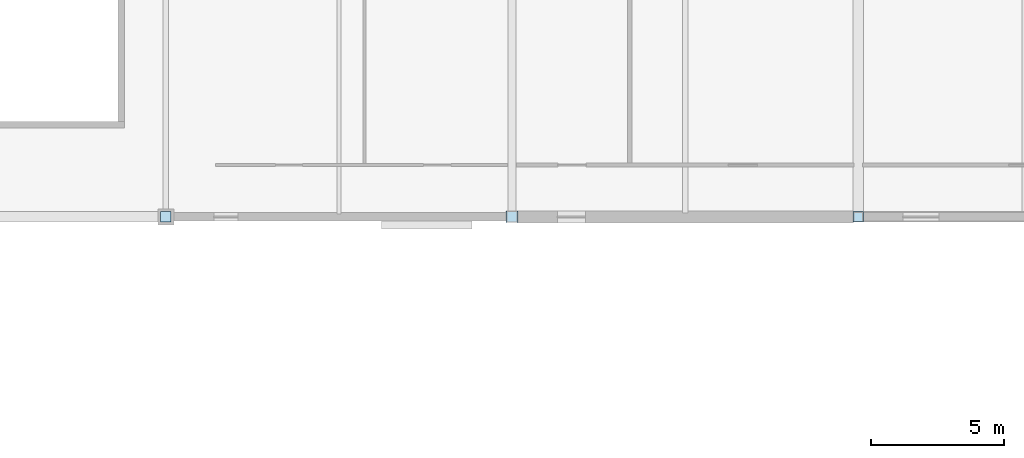
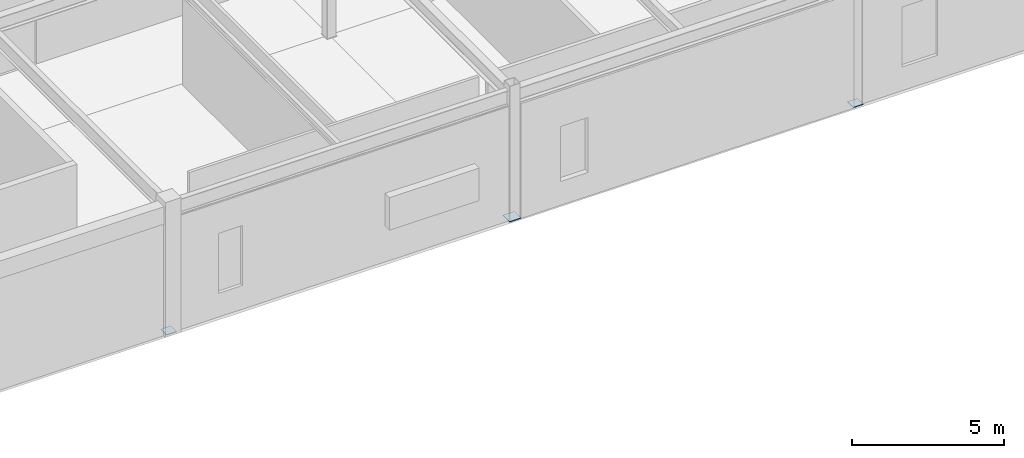
# One storey, part 65 of 105: 3 plates.
"""IFC4 building model written with IfcOpenShell, lengths in metres."""

from ifc_helpers import new_model, si_unit, direction, frame, origin, origin_2d, place, context, subcontext, project, spatial, rectangle, extrude, material, layer, layer_set, type_object, element, save


model = new_model("IFC4")

# Units and contexts
model_context = context("Model", 3, precision=1e-05, world=origin(), true_north=direction((0.0, 1.0)))
body_context = subcontext(model_context, "Body", "Model", "MODEL_VIEW")
ifc_project = project(units=[si_unit("LENGTHUNIT", "METRE"), si_unit("AREAUNIT", "SQUARE_METRE"), si_unit("VOLUMEUNIT", "CUBIC_METRE"), si_unit("PLANEANGLEUNIT", "RADIAN"), si_unit("MASSUNIT", "GRAM", prefix="KILO")], contexts=[model_context])

# Site, building, storey
site_placement = place(None, origin())
site = spatial("IfcSite", under=ifc_project, at=site_placement, CompositionType="ELEMENT")
building_placement = place(site_placement, origin())
building = spatial("IfcBuilding", under=site, at=building_placement, Name="Kazenohara Klinker Stadium", CompositionType="ELEMENT")
storey_placement = place(building_placement, frame((0.0, 0.0, 20.39990234375)))
storey = spatial("IfcBuildingStorey", under=building, at=storey_placement, Name="L04", CompositionType="ELEMENT", Elevation=20.39990234375)

# Plates
ifc_material = material(Name="Steel S355", Category="steel")
ifc_layer_1 = layer(ifc_material, 0.02001953125)
ifc_layer_set_1 = layer_set([ifc_layer_1], Name="Steel S355")
plate_type_1 = type_object("IfcPlateType", Name="PLT-GP01", PredefinedType="USERDEFINED", material=ifc_layer_set_1)
for number, where, z_axis, x_axis, name in (
    (1, (99.0, 132.0, -0.010009765625), (0.0, 0.0, 1.0), (1.0, 0.0, 0.0), "Hollow column end-cap plate GP01 L04 9/M"),
    (2, (125.0, 132.0, -0.010009765625), (0.0, 0.0, 1.0), (1.0, 0.0, 0.0), "Hollow column end-cap plate GP01 L04 11/M"),
):
    element("IfcPlate", number, at=place(storey_placement, frame(where, z_axis=z_axis, x_axis=x_axis)), inside=storey, type_object=plate_type_1, Name=name, ObjectType="GUSSET PLATE", PredefinedType="USERDEFINED", context=body_context, shape_type="SweptSolid", body=[
        extrude(rectangle(XDim=0.389892578125, YDim=0.389892578125, at=origin_2d()), origin(), (0.0, 0.0, 1.0), 0.02001953125),
    ])
ifc_layer_2 = layer(ifc_material, 0.02392578125)
ifc_layer_set_2 = layer_set([ifc_layer_2], Name="Steel S355")
plate_type_2 = type_object("IfcPlateType", Name="PLT-GP03", PredefinedType="USERDEFINED", material=ifc_layer_set_2)
plate_placement = place(storey_placement, frame((112.0, 132.0, -0.011962890625), z_axis=(0.0, 0.0, 1.0), x_axis=(1.0, 0.0, 0.0)))
element("IfcPlate", 3, at=plate_placement, inside=storey, type_object=plate_type_2, Name="Hollow column end-cap plate GP03 L04 10/M", ObjectType="GUSSET PLATE", PredefinedType="USERDEFINED", context=body_context, shape_type="SweptSolid", body=[
    extrude(rectangle(XDim=0.43994140625, YDim=0.43994140625, at=origin_2d()), origin(), (0.0, 0.0, 1.0), 0.02392578125),
])

save(model, "model.ifc")
